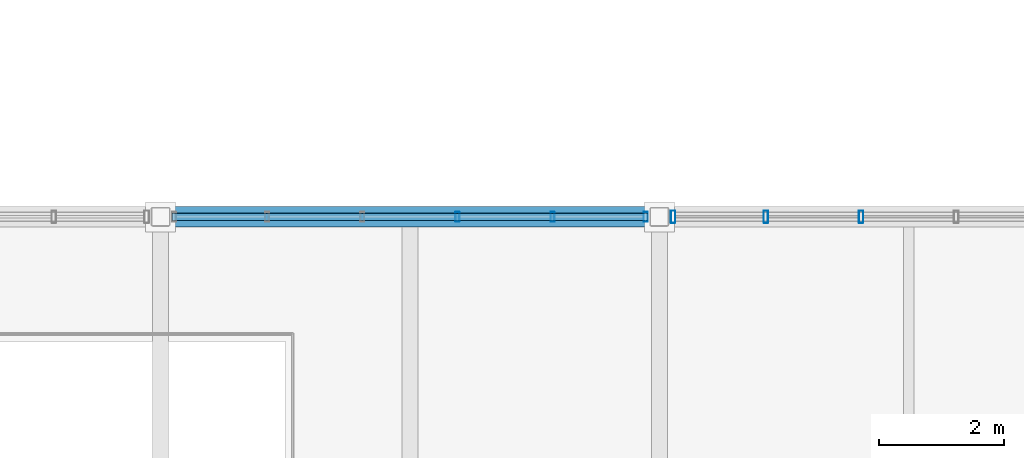
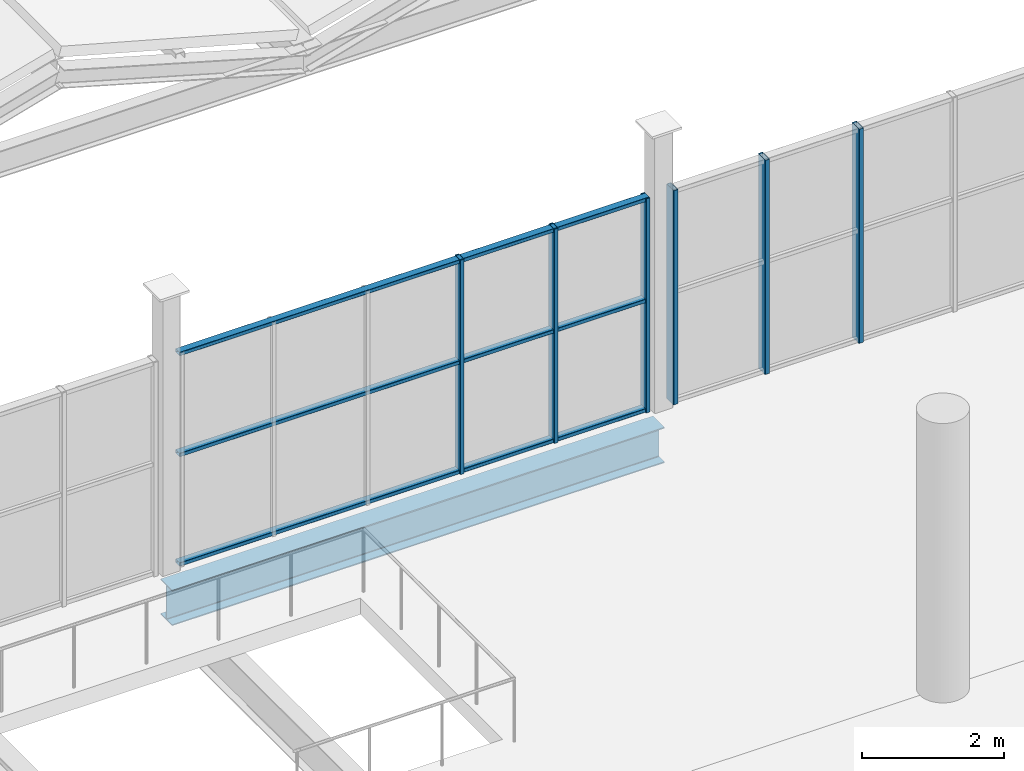
# One storey, part 25 of 114: 9 members, 1 beam, 2 elements without a shape of their own.
"""IFC4 building model written with IfcOpenShell, lengths in metres."""

from ifc_helpers import new_model, si_unit, direction, frame, origin, origin_2d, place, context, subcontext, project, spatial, hollow_rectangle, i_section, extrude, material, material_profile, profile_set, type_object, element, aggregate, save


model = new_model("IFC4")

# Units and contexts
model_context = context("Model", 3, precision=1e-05, world=origin(), true_north=direction((0.0, 1.0)))
body_context = subcontext(model_context, "Body", "Model", "MODEL_VIEW")
ifc_project = project(units=[si_unit("LENGTHUNIT", "METRE"), si_unit("AREAUNIT", "SQUARE_METRE"), si_unit("VOLUMEUNIT", "CUBIC_METRE"), si_unit("PLANEANGLEUNIT", "RADIAN"), si_unit("MASSUNIT", "GRAM", prefix="KILO")], contexts=[model_context])

# Site, building, storey
site_placement = place(None, origin())
site = spatial("IfcSite", under=ifc_project, at=site_placement, CompositionType="ELEMENT")
building_placement = place(site_placement, origin())
building = spatial("IfcBuilding", under=site, at=building_placement, Name="Verrall Gate Interchange", CompositionType="ELEMENT")
storey_placement = place(building_placement, frame((0.0, 0.0, 6.60009765625)))
storey = spatial("IfcBuildingStorey", under=building, at=storey_placement, Name="L02", CompositionType="ELEMENT", Elevation=6.60009765625)

# Beam
ifc_material_1 = material(Name="Structural Steel CSA G40.21 350WT Cat 4", Category="steel")
ifc_material_profile_1 = material_profile(ifc_material_1, i_section(OverallWidth=0.323974609375, OverallDepth=0.611083984375, WebThickness=0.0126953125, FlangeThickness=0.01904296875, FilletRadius=0.014892578125, at=origin_2d()), Name="W610x155")
ifc_profile_set_1 = profile_set([ifc_material_profile_1], Name="Structural Steel CSA G40.21 350WT Cat 4")
beam_type = type_object("IfcBeamType", Name="B-08 Structural Beam W610x155", PredefinedType="BEAM", material=ifc_profile_set_1)
beam_placement = place(storey_placement, frame((52.0, 56.0, -0.585693359375), z_axis=(1.0, 0.0, 0.0), x_axis=(0.0, 1.0, 0.0)))
element("IfcBeam", 1, at=beam_placement, inside=storey, type_object=beam_type, Name="L02 Girder BM-L02-1594 (B-08)", PredefinedType="BEAM", context=body_context, shape_type="SweptSolid", body=[
    extrude(i_section(OverallWidth=0.323974609375, OverallDepth=0.611083984375, WebThickness=0.0126953125, FlangeThickness=0.01904296875, FilletRadius=0.014892578125, at=origin_2d()), origin(), (0.0, 0.0, 1.0), 8.0),
])

# Curtain wall, members
ifc_material_2 = material(Name="Thermally Broken Anodized Aluminium Curtain Wall Framing", Category="aluminium")
curtain_wall_type = type_object("IfcCurtainWallType", Name="CW-21 Unitized Curtain Wall 7631x3680", PredefinedType="NOTDEFINED", material=ifc_material_2)
curtain_wall_1_placement = place(storey_placement, origin())
curtain_wall_1 = element("IfcCurtainWall", 2, at=curtain_wall_1_placement, inside=storey, type_object=curtain_wall_type, Name="L02 Unitized Curtain Wall CW-L02-082", PredefinedType="NOTDEFINED")
ifc_material_3 = material(Name="Thermally Broken Anodized Aluminium Curtain Wall Framing", Category="aluminium")
ifc_material_profile_2 = material_profile(ifc_material_3, hollow_rectangle(XDim=0.06494140625, YDim=0.159912109375, WallThickness=0.00390625, InnerFilletRadius=0.00390625, OuterFilletRadius=0.008056640625, at=origin_2d()), Name="CWM160x65x4")
ifc_profile_set_2 = profile_set([ifc_material_profile_2], Name="Thermally Broken Anodized Aluminium Curtain Wall Framing")
member_type_1 = type_object("IfcMemberType", Name="CM-01 Curtain Mullion CWM160x65x4", PredefinedType="MULLION", material=ifc_profile_set_2)
member_1_placement = place(storey_placement, frame((59.782958984375, 56.0, 0.0), z_axis=(0.0, 0.0, 1.0), x_axis=(-1.0, 0.0, 0.0)))
member_1 = element("IfcMember", 3, at=member_1_placement, type_object=member_type_1, Name="CW-L02-082 Mullion 1", PredefinedType="MULLION", context=body_context, shape_type="SweptSolid", body=[
    extrude(hollow_rectangle(XDim=0.06494140625, YDim=0.159912109375, WallThickness=0.00390625, InnerFilletRadius=0.00390625, OuterFilletRadius=0.008056640625, at=origin_2d()), origin(), (0.0, 0.0, 1.0), 3.679931640625),
])
member_2_placement = place(storey_placement, frame((58.289306640625, 56.0, 0.0), z_axis=(0.0, 0.0, 1.0), x_axis=(-1.0, 0.0, 0.0)))
member_2 = element("IfcMember", 4, at=member_2_placement, type_object=member_type_1, Name="CW-L02-082 Mullion 2", PredefinedType="MULLION", context=body_context, shape_type="SweptSolid", body=[
    extrude(hollow_rectangle(XDim=0.06494140625, YDim=0.159912109375, WallThickness=0.00390625, InnerFilletRadius=0.00390625, OuterFilletRadius=0.008056640625, at=origin_2d()), origin(), (0.0, 0.0, 1.0), 3.679931640625),
])
member_3_placement = place(storey_placement, frame((56.76318359375, 56.0, 0.0), z_axis=(0.0, 0.0, 1.0), x_axis=(-1.0, 0.0, 0.0)))
member_3 = element("IfcMember", 5, at=member_3_placement, type_object=member_type_1, Name="CW-L02-082 Mullion 3", PredefinedType="MULLION", context=body_context, shape_type="SweptSolid", body=[
    extrude(hollow_rectangle(XDim=0.06494140625, YDim=0.159912109375, WallThickness=0.00390625, InnerFilletRadius=0.00390625, OuterFilletRadius=0.008056640625, at=origin_2d()), origin(), (0.0, 0.0, 1.0), 3.679931640625),
])

curtain_wall_2_placement = place(storey_placement, origin())
curtain_wall_2 = element("IfcCurtainWall", 6, at=curtain_wall_2_placement, inside=storey, type_object=curtain_wall_type, Name="L02 Unitized Curtain Wall CW-L02-081", PredefinedType="NOTDEFINED")
ifc_material_4 = material(Name="Thermally Broken Anodized Aluminium Curtain Wall Framing", Category="aluminium")
ifc_material_profile_3 = material_profile(ifc_material_4, hollow_rectangle(XDim=0.074951171875, YDim=0.199951171875, WallThickness=0.0048828125, InnerFilletRadius=0.0048828125, OuterFilletRadius=0.010009765625, at=origin_2d()), Name="CWM200x75x5")
ifc_profile_set_3 = profile_set([ifc_material_profile_3], Name="Thermally Broken Anodized Aluminium Curtain Wall Framing")
member_type_2 = type_object("IfcMemberType", Name="CM-02 Curtain Mullion CWM200x75x5", PredefinedType="MULLION", material=ifc_profile_set_3)
member_4_placement = place(storey_placement, frame((63.23681640625, 56.0, 0.0), z_axis=(0.0, 0.0, 1.0), x_axis=(-1.0, 0.0, 0.0)))
member_4 = element("IfcMember", 7, at=member_4_placement, type_object=member_type_2, Name="CW-L02-081 Mullion 4", PredefinedType="MULLION", context=body_context, shape_type="SweptSolid", body=[
    extrude(hollow_rectangle(XDim=0.074951171875, YDim=0.199951171875, WallThickness=0.0048828125, InnerFilletRadius=0.0048828125, OuterFilletRadius=0.010009765625, at=origin_2d()), origin(), (0.0, 0.0, 1.0), 3.679931640625),
])
member_5_placement = place(storey_placement, frame((61.710693359375, 56.0, 0.0), z_axis=(0.0, 0.0, 1.0), x_axis=(-1.0, 0.0, 0.0)))
member_5 = element("IfcMember", 8, at=member_5_placement, type_object=member_type_2, Name="CW-L02-081 Mullion 5", PredefinedType="MULLION", context=body_context, shape_type="SweptSolid", body=[
    extrude(hollow_rectangle(XDim=0.074951171875, YDim=0.199951171875, WallThickness=0.0048828125, InnerFilletRadius=0.0048828125, OuterFilletRadius=0.010009765625, at=origin_2d()), origin(), (0.0, 0.0, 1.0), 3.679931640625),
])
member_6_placement = place(storey_placement, frame((60.221923828125, 56.0, 0.0), z_axis=(0.0, 0.0, 1.0), x_axis=(-1.0, 0.0, 0.0)))
member_6 = element("IfcMember", 9, at=member_6_placement, type_object=member_type_2, Name="CW-L02-081 Mullion 6", PredefinedType="MULLION", context=body_context, shape_type="SweptSolid", body=[
    extrude(hollow_rectangle(XDim=0.074951171875, YDim=0.199951171875, WallThickness=0.0048828125, InnerFilletRadius=0.0048828125, OuterFilletRadius=0.010009765625, at=origin_2d()), origin(), (0.0, 0.0, 1.0), 3.679931640625),
])
aggregate(curtain_wall_2, [member_4, member_5, member_6])

# Member
ifc_material_5 = material(Name="Thermally Broken Anodized Aluminium Curtain Wall Framing", Category="aluminium")
ifc_material_profile_4 = material_profile(ifc_material_5, hollow_rectangle(XDim=0.1201171875, YDim=0.06494140625, WallThickness=0.00390625, InnerFilletRadius=0.00390625, OuterFilletRadius=0.008056640625, at=origin_2d()), Name="CWT120x65x4")
ifc_profile_set_4 = profile_set([ifc_material_profile_4], Name="Thermally Broken Anodized Aluminium Curtain Wall Framing")
member_type_3 = type_object("IfcMemberType", Name="CT-01 Curtain Transom CWT120x65x4", PredefinedType="USERDEFINED", material=ifc_profile_set_4)
member_7_placement = place(storey_placement, frame((59.8154296875, 56.0, 0.032470703125), z_axis=(-1.0, 0.0, 0.0), x_axis=(0.0, -1.0, 0.0)))
member_7 = element("IfcMember", 10, at=member_7_placement, type_object=member_type_3, Name="CW-L02-082 Transom 1", ObjectType="TRANSOM", PredefinedType="USERDEFINED", context=body_context, shape_type="SweptSolid", body=[
    extrude(hollow_rectangle(XDim=0.1201171875, YDim=0.06494140625, WallThickness=0.00390625, InnerFilletRadius=0.00390625, OuterFilletRadius=0.008056640625, at=origin_2d()), origin(), (0.0, 0.0, 1.0), 7.630859375),
])

member_8_placement = place(storey_placement, frame((59.8154296875, 56.0, 1.91357421875), z_axis=(-1.0, 0.0, 0.0), x_axis=(0.0, -1.0, 0.0)))
member_8 = element("IfcMember", 11, at=member_8_placement, type_object=member_type_3, Name="CW-L02-082 Transom 2", ObjectType="TRANSOM", PredefinedType="USERDEFINED", context=body_context, shape_type="SweptSolid", body=[
    extrude(hollow_rectangle(XDim=0.1201171875, YDim=0.06494140625, WallThickness=0.00390625, InnerFilletRadius=0.00390625, OuterFilletRadius=0.008056640625, at=origin_2d()), origin(), (0.0, 0.0, 1.0), 7.630859375),
])

member_9_placement = place(storey_placement, frame((59.8154296875, 56.0, 3.6474609375), z_axis=(-1.0, 0.0, 0.0), x_axis=(0.0, -1.0, 0.0)))
member_9 = element("IfcMember", 12, at=member_9_placement, type_object=member_type_3, Name="CW-L02-082 Transom 3", ObjectType="TRANSOM", PredefinedType="USERDEFINED", context=body_context, shape_type="SweptSolid", body=[
    extrude(hollow_rectangle(XDim=0.1201171875, YDim=0.06494140625, WallThickness=0.00390625, InnerFilletRadius=0.00390625, OuterFilletRadius=0.008056640625, at=origin_2d()), origin(), (0.0, 0.0, 1.0), 7.630859375),
])

aggregate(curtain_wall_1, [member_1, member_2, member_3, member_7, member_8, member_9])

save(model, "model.ifc")
